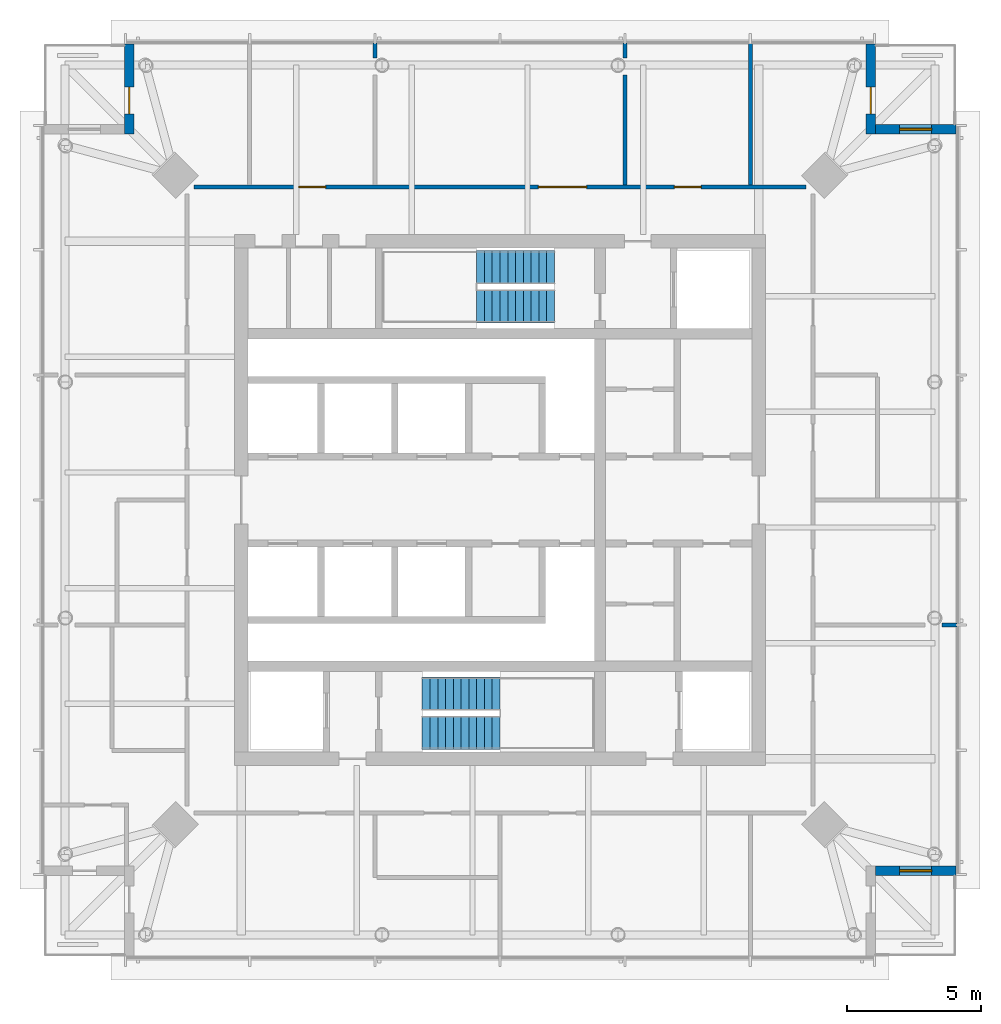
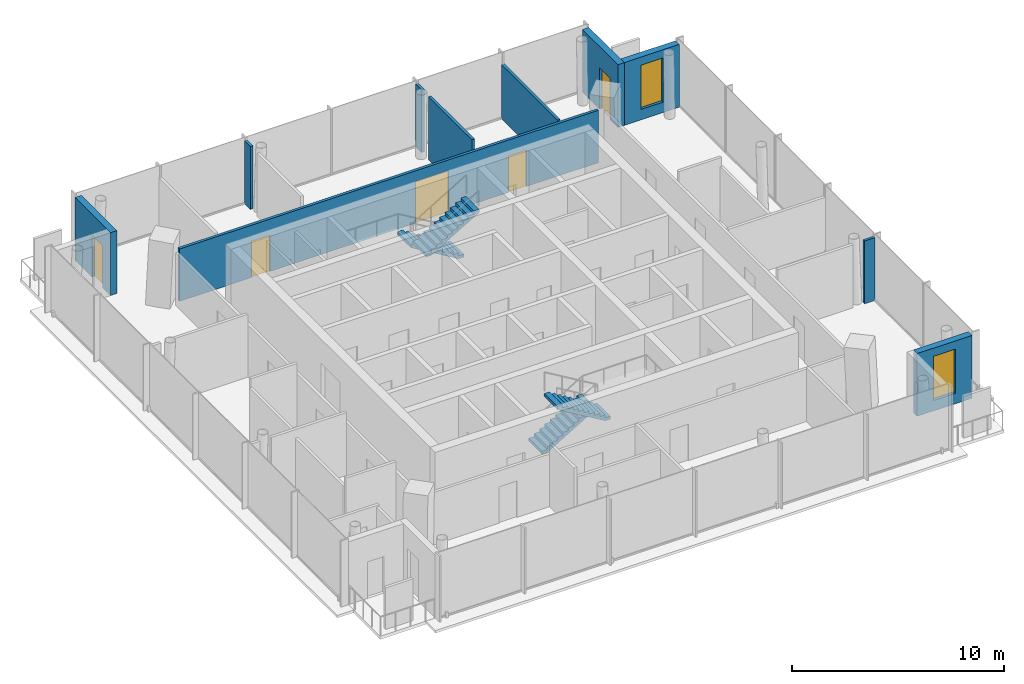
# One storey, part 6 of 9: 10 walls, 5 doors, 4 stair flights, 2 windows, 7 openings, 2 elements without a shape of their own.
"""IFC4 building model written with IfcOpenShell, lengths in metres."""

from ifc_helpers import new_model, si_unit, direction, frame, frame_2d, origin, place, context, subcontext, project, spatial, polyline, rectangle, outline, extrude, material, layer, layer_set, type_object, element, fill, aggregate, save


model = new_model("IFC4")

# Units and contexts
model_context = context("Model", 3, precision=1e-05, world=origin(), true_north=direction((0.0, 1.0)))
body_context = subcontext(model_context, "Body", "Model", "MODEL_VIEW")
ifc_project = project(units=[si_unit("LENGTHUNIT", "METRE"), si_unit("AREAUNIT", "SQUARE_METRE"), si_unit("VOLUMEUNIT", "CUBIC_METRE"), si_unit("PLANEANGLEUNIT", "RADIAN"), si_unit("MASSUNIT", "GRAM", prefix="KILO")], contexts=[model_context])

# Site, building, storey
site_placement = place(None, origin())
site = spatial("IfcSite", under=ifc_project, at=site_placement, CompositionType="ELEMENT")
building_placement = place(site_placement, origin())
building = spatial("IfcBuilding", under=site, at=building_placement, Name="Ostroluk Exchange", CompositionType="ELEMENT")
storey_placement = place(building_placement, frame((0.0, 0.0, 264.199951171875)))
storey = spatial("IfcBuildingStorey", under=building, at=storey_placement, Name="L68", CompositionType="ELEMENT", Elevation=264.199951171875)

# Wall, opening, window
ifc_material_1 = material(Name="Limestone", Category="masonry")
ifc_layer_1 = layer(ifc_material_1, 0.35009765625)
ifc_layer_set_1 = layer_set([ifc_layer_1], Name="Limestone facade wall 350")
wall_type_1 = type_object("IfcWallType", Name="Limestone facade wall 350", PredefinedType="SOLIDWALL", material=ifc_layer_set_1)
wall_1_placement = place(storey_placement, frame((59.0, 32.175048828125, 0.0), z_axis=(0.0, 0.0, 1.0), x_axis=(1.0, 0.0, 0.0)))
wall_1 = element("IfcWall", 1, at=wall_1_placement, inside=storey, type_object=wall_type_1, Name="Office tower SE corner wall L68 b", PredefinedType="SOLIDWALL", context=body_context, shape_type="SweptSolid", body=[
    extrude(rectangle(XDim=3.0, YDim=0.35009765625, at=frame_2d((1.5, 0.0))), origin(), (0.0, 0.0, 1.0), 3.6201171875),
])
opening_1_placement = place(wall_1_placement, frame((0.89990234375, 0.0, 0.60009765625)))
opening_1 = element("IfcOpeningElement", 2, at=opening_1_placement, cuts=wall_1, Name="Opening WN-L1", PredefinedType="OPENING", context=body_context, shape_type="SweptSolid", body=[
    extrude(rectangle(XDim=1.199951171875, YDim=2.550048828125, at=frame_2d((0.60009765625, 1.27490234375))), frame((0.0, 0.18505859375, 0.0), z_axis=(0.0, -1.0, 0.0), x_axis=(1.0, 0.0, 0.0)), (0.0, 0.0, 1.0), 0.3701171875),
])
ifc_material_2 = material(Name="Laminated clear glass", Category="glass")
window_type = type_object("IfcWindowType", Name="Lancet window 1200 x 2550", PartitioningType="SINGLE_PANEL", PredefinedType="WINDOW", material=ifc_material_2)
window_1_placement = place(opening_1_placement, origin())
window_1 = element("IfcWindow", 3, at=window_1_placement, inside=storey, type_object=window_type, Name="Office tower SE lancet window L68", OverallHeight=2.550048828125, OverallWidth=1.199951171875, PartitioningType="SINGLE_PANEL", PredefinedType="WINDOW", context=body_context, shape_type="SweptSolid", body=[
    extrude(rectangle(XDim=1.199951171875, YDim=2.550048828125, at=frame_2d((0.60009765625, 1.27490234375))), frame((0.0, 0.030029296875, 0.0), z_axis=(0.0, -1.0, 0.0), x_axis=(1.0, 0.0, 0.0)), (0.0, 0.0, 1.0), 0.06005859375),
])
fill(opening_1, window_1)

# Wall, opening, door
wall_2_placement = place(storey_placement, frame((58.824951171875, 63.0, 0.0), z_axis=(0.0, 0.0, 1.0), x_axis=(0.0, -1.0, 0.0)))
wall_2 = element("IfcWall", 4, at=wall_2_placement, inside=storey, type_object=wall_type_1, Name="Office tower NE corner wall L68 a", PredefinedType="SOLIDWALL", context=body_context, shape_type="SweptSolid", body=[
    extrude(rectangle(XDim=3.35009765625, YDim=0.35009765625, at=frame_2d((1.675048828125, 0.0))), origin(), (0.0, 0.0, 1.0), 3.6201171875),
])
opening_2_placement = place(wall_2_placement, frame((1.60009765625, 0.0, 0.0)))
opening_2 = element("IfcOpeningElement", 5, at=opening_2_placement, cuts=wall_2, Name="Opening D-B1", PredefinedType="OPENING", context=body_context, shape_type="SweptSolid", body=[
    extrude(rectangle(XDim=1.0, YDim=2.39990234375, at=frame_2d((0.5, 1.199951171875))), frame((0.0, 0.18505859375, 0.0), z_axis=(0.0, -1.0, 0.0), x_axis=(1.0, 0.0, 0.0)), (0.0, 0.0, 1.0), 0.3701171875),
])
ifc_material_3 = material(Name="Bronze framed glazed door", Category="aluminium")
door_type_1 = type_object("IfcDoorType", Name="Balcony door 1000 x 2400", OperationType="SINGLE_SWING_LEFT", PredefinedType="DOOR", material=ifc_material_3)
door_1_placement = place(opening_2_placement, origin())
door_1 = element("IfcDoor", 6, at=door_1_placement, inside=storey, type_object=door_type_1, Name="Office tower NE balcony door L68", OperationType="SINGLE_SWING_RIGHT", OverallHeight=2.39990234375, OverallWidth=1.0, PredefinedType="DOOR", context=body_context, shape_type="SweptSolid", body=[
    extrude(rectangle(XDim=1.0, YDim=2.39990234375, at=frame_2d((0.5, 1.199951171875))), frame((0.0, 0.02490234375, 0.0), z_axis=(0.0, -1.0, 0.0), x_axis=(1.0, 0.0, 0.0)), (0.0, 0.0, 1.0), 0.050048828125),
])
fill(opening_2, door_1)

# Wall, opening, window
wall_3_placement = place(storey_placement, frame((59.0, 59.824951171875, 0.0), z_axis=(0.0, 0.0, 1.0), x_axis=(1.0, 0.0, 0.0)))
wall_3 = element("IfcWall", 7, at=wall_3_placement, inside=storey, type_object=wall_type_1, Name="Office tower NE corner wall L68 b", PredefinedType="SOLIDWALL", context=body_context, shape_type="SweptSolid", body=[
    extrude(rectangle(XDim=3.0, YDim=0.35009765625, at=frame_2d((1.5, 0.0))), origin(), (0.0, 0.0, 1.0), 3.6201171875),
])
opening_3_placement = place(wall_3_placement, frame((0.89990234375, 0.0, 0.60009765625)))
opening_3 = element("IfcOpeningElement", 8, at=opening_3_placement, cuts=wall_3, Name="Opening WN-L1", PredefinedType="OPENING", context=body_context, shape_type="SweptSolid", body=[
    extrude(rectangle(XDim=1.199951171875, YDim=2.550048828125, at=frame_2d((0.60009765625, 1.27490234375))), frame((0.0, 0.18505859375, 0.0), z_axis=(0.0, -1.0, 0.0), x_axis=(1.0, 0.0, 0.0)), (0.0, 0.0, 1.0), 0.3701171875),
])
window_2_placement = place(opening_3_placement, origin())
window_2 = element("IfcWindow", 9, at=window_2_placement, inside=storey, type_object=window_type, Name="Office tower NE lancet window L68", OverallHeight=2.550048828125, OverallWidth=1.199951171875, PartitioningType="SINGLE_PANEL", PredefinedType="WINDOW", context=body_context, shape_type="SweptSolid", body=[
    extrude(rectangle(XDim=1.199951171875, YDim=2.550048828125, at=frame_2d((0.60009765625, 1.27490234375))), frame((0.0, 0.030029296875, 0.0), z_axis=(0.0, -1.0, 0.0), x_axis=(1.0, 0.0, 0.0)), (0.0, 0.0, 1.0), 0.06005859375),
])
fill(opening_3, window_2)

# Wall, opening, door
wall_4_placement = place(storey_placement, frame((31.175048828125, 63.0, 0.0), z_axis=(0.0, 0.0, 1.0), x_axis=(0.0, -1.0, 0.0)))
wall_4 = element("IfcWall", 10, at=wall_4_placement, inside=storey, type_object=wall_type_1, Name="Office tower NW corner wall L68 a", PredefinedType="SOLIDWALL", context=body_context, shape_type="SweptSolid", body=[
    extrude(rectangle(XDim=3.35009765625, YDim=0.35009765625, at=frame_2d((1.675048828125, 0.0))), origin(), (0.0, 0.0, 1.0), 3.6201171875),
])
opening_4_placement = place(wall_4_placement, frame((1.60009765625, 0.0, 0.0)))
opening_4 = element("IfcOpeningElement", 11, at=opening_4_placement, cuts=wall_4, Name="Opening D-B1", PredefinedType="OPENING", context=body_context, shape_type="SweptSolid", body=[
    extrude(rectangle(XDim=1.0, YDim=2.39990234375, at=frame_2d((0.5, 1.199951171875))), frame((0.0, 0.18505859375, 0.0), z_axis=(0.0, -1.0, 0.0), x_axis=(1.0, 0.0, 0.0)), (0.0, 0.0, 1.0), 0.3701171875),
])
door_2_placement = place(opening_4_placement, origin())
door_2 = element("IfcDoor", 12, at=door_2_placement, inside=storey, type_object=door_type_1, Name="Office tower NW balcony door L68", OperationType="SINGLE_SWING_RIGHT", OverallHeight=2.39990234375, OverallWidth=1.0, PredefinedType="DOOR", context=body_context, shape_type="SweptSolid", body=[
    extrude(rectangle(XDim=1.0, YDim=2.39990234375, at=frame_2d((0.5, 1.199951171875))), frame((0.0, 0.02490234375, 0.0), z_axis=(0.0, -1.0, 0.0), x_axis=(1.0, 0.0, 0.0)), (0.0, 0.0, 1.0), 0.050048828125),
])
fill(opening_4, door_2)

# Wall
ifc_material_4 = material(Name="Gypsum plasterboard partition", Category="gypsum")
ifc_layer_2 = layer(ifc_material_4, 0.14990234375)
ifc_layer_set_2 = layer_set([ifc_layer_2], Name="Plasterboard partition 150")
wall_type_2 = type_object("IfcWallType", Name="Plasterboard partition 150", PredefinedType="PARTITIONING", material=ifc_layer_set_2)
wall_5_placement = place(storey_placement, frame((61.482666015625, 41.333251953125, 0.0), z_axis=(0.0, 0.0, 1.0), x_axis=(1.0, 0.0, 0.0)))
element("IfcWall", 13, at=wall_5_placement, inside=storey, type_object=wall_type_2, Name="Partition", PredefinedType="PARTITIONING", context=body_context, shape_type="SweptSolid", body=[
    extrude(rectangle(XDim=0.557373046875, YDim=0.14990234375, at=frame_2d((0.27880859375, 0.0))), origin(), (0.0, 0.0, 1.0), 3.6201171875),
])

# Wall, openings, doors
wall_6_placement = place(storey_placement, frame((56.415771484375, 57.675048828125, 0.0), z_axis=(0.0, 0.0, 1.0), x_axis=(-1.0, 0.0, 0.0)))
wall_6 = element("IfcWall", 14, at=wall_6_placement, inside=storey, type_object=wall_type_2, Name="Partition", PredefinedType="PARTITIONING", context=body_context, shape_type="SweptSolid", body=[
    extrude(rectangle(XDim=22.83154296875, YDim=0.14990234375, at=frame_2d((11.415771484375, 0.0))), origin(), (0.0, 0.0, 1.0), 3.02001953125),
])
opening_5_placement = place(wall_6_placement, frame((3.915771484375, 0.0, 0.0)))
opening_5 = element("IfcOpeningElement", 15, at=opening_5_placement, cuts=wall_6, Name="Opening D-03", PredefinedType="OPENING", context=body_context, shape_type="SweptSolid", body=[
    extrude(rectangle(XDim=1.0, YDim=2.10009765625, at=frame_2d((0.5, 1.050048828125))), frame((0.0, 0.0849609375, 0.0), z_axis=(0.0, -1.0, 0.0), x_axis=(1.0, 0.0, 0.0)), (0.0, 0.0, 1.0), 0.169921875),
])
opening_6_placement = place(wall_6_placement, frame((8.182373046875, 0.0, 0.0)))
opening_6 = element("IfcOpeningElement", 16, at=opening_6_placement, cuts=wall_6, Name="Opening D-04", PredefinedType="OPENING", context=body_context, shape_type="SweptSolid", body=[
    extrude(rectangle(XDim=1.800048828125, YDim=2.39990234375, at=frame_2d((0.89990234375, 1.199951171875))), frame((0.0, 0.0849609375, 0.0), z_axis=(0.0, -1.0, 0.0), x_axis=(1.0, 0.0, 0.0)), (0.0, 0.0, 1.0), 0.169921875),
])
opening_7_placement = place(wall_6_placement, frame((17.915771484375, 0.0, 0.0)))
opening_7 = element("IfcOpeningElement", 17, at=opening_7_placement, cuts=wall_6, Name="Opening D-03", PredefinedType="OPENING", context=body_context, shape_type="SweptSolid", body=[
    extrude(rectangle(XDim=1.0, YDim=2.10009765625, at=frame_2d((0.5, 1.050048828125))), frame((0.0, 0.0849609375, 0.0), z_axis=(0.0, -1.0, 0.0), x_axis=(1.0, 0.0, 0.0)), (0.0, 0.0, 1.0), 0.169921875),
])
ifc_material_5 = material(Name="Timber", Category="wood")
door_type_2 = type_object("IfcDoorType", Name="Double door 1800 x 2400", OperationType="DOUBLE_DOOR_SINGLE_SWING", PredefinedType="DOOR", material=ifc_material_5)
door_3_placement = place(opening_6_placement, origin())
door_3 = element("IfcDoor", 18, at=door_3_placement, inside=storey, type_object=door_type_2, Name="Boardroom door", OperationType="DOUBLE_DOOR_SINGLE_SWING", OverallHeight=2.39990234375, OverallWidth=1.800048828125, PredefinedType="DOOR", context=body_context, shape_type="SweptSolid", body=[
    extrude(rectangle(XDim=1.800048828125, YDim=2.39990234375, at=frame_2d((0.89990234375, 1.199951171875))), frame((0.0, 0.02490234375, 0.0), z_axis=(0.0, -1.0, 0.0), x_axis=(1.0, 0.0, 0.0)), (0.0, 0.0, 1.0), 0.050048828125),
])
fill(opening_6, door_3)
ifc_material_6 = material(Name="Timber", Category="wood")
door_type_3 = type_object("IfcDoorType", Name="Internal door 1000 x 2100", OperationType="SINGLE_SWING_LEFT", PredefinedType="DOOR", material=ifc_material_6)
door_4_placement = place(opening_5_placement, origin())
door_4 = element("IfcDoor", 19, at=door_4_placement, inside=storey, type_object=door_type_3, Name="Office door", OperationType="SINGLE_SWING_LEFT", OverallHeight=2.10009765625, OverallWidth=1.0, PredefinedType="DOOR", context=body_context, shape_type="SweptSolid", body=[
    extrude(rectangle(XDim=1.0, YDim=2.10009765625, at=frame_2d((0.5, 1.050048828125))), frame((0.0, 0.02490234375, 0.0), z_axis=(0.0, -1.0, 0.0), x_axis=(1.0, 0.0, 0.0)), (0.0, 0.0, 1.0), 0.050048828125),
])
fill(opening_5, door_4)
door_5_placement = place(opening_7_placement, origin())
door_5 = element("IfcDoor", 20, at=door_5_placement, inside=storey, type_object=door_type_3, Name="Office door", OperationType="SINGLE_SWING_RIGHT", OverallHeight=2.10009765625, OverallWidth=1.0, PredefinedType="DOOR", context=body_context, shape_type="SweptSolid", body=[
    extrude(rectangle(XDim=1.0, YDim=2.10009765625, at=frame_2d((0.5, 1.050048828125))), frame((0.0, 0.02490234375, 0.0), z_axis=(0.0, -1.0, 0.0), x_axis=(1.0, 0.0, 0.0)), (0.0, 0.0, 1.0), 0.050048828125),
])
fill(opening_7, door_5)

# Walls
wall_7_placement = place(storey_placement, frame((54.333251953125, 57.75, 0.0), z_axis=(0.0, 0.0, 1.0), x_axis=(0.0, 1.0, 0.0)))
element("IfcWall", 21, at=wall_7_placement, inside=storey, type_object=wall_type_2, Name="Partition", PredefinedType="PARTITIONING", context=body_context, shape_type="SweptSolid", body=[
    extrude(rectangle(XDim=5.2900390625, YDim=0.14990234375, at=frame_2d((2.64501953125, 0.0))), origin(), (0.0, 0.0, 1.0), 3.1201171875),
])
wall_8_placement = place(storey_placement, frame((49.666748046875, 57.75, 0.0), z_axis=(0.0, 0.0, 1.0), x_axis=(0.0, 1.0, 0.0)))
element("IfcWall", 22, at=wall_8_placement, inside=storey, type_object=wall_type_2, Name="Partition", PredefinedType="PARTITIONING", context=body_context, shape_type="SweptSolid", body=[
    extrude(rectangle(XDim=4.10302734375, YDim=0.14990234375, at=frame_2d((2.051513671875, 0.0))), origin(), (0.0, 0.0, 1.0), 3.6201171875),
])
for number, where, z_axis, x_axis, name in (
    (23, (49.666748046875, 62.482666015625, 0.0), (0.0, 0.0, 1.0), (0.0, 1.0, 0.0), "Partition"),
    (24, (40.333251953125, 62.482666015625, 0.0), (0.0, 0.0, 1.0), (0.0, 1.0, 0.0), "Partition"),
):
    element("IfcWall", number, at=place(storey_placement, frame(where, z_axis=z_axis, x_axis=x_axis)), inside=storey, type_object=wall_type_2, Name=name, PredefinedType="PARTITIONING", context=body_context, shape_type="SweptSolid", body=[
        extrude(rectangle(XDim=0.557373046875, YDim=0.14990234375, at=frame_2d((0.27880859375, 0.0))), origin(), (0.0, 0.0, 1.0), 3.6201171875),
    ])

# Stair, stair flights
ifc_material_7 = material(Name="Concrete C30/37", Category="concrete")
stair_type = type_object("IfcStairType", Name="Exit stair half turn 3800", PredefinedType="HALF_TURN_STAIR", material=ifc_material_7)
stair_1_placement = place(storey_placement, origin())
stair_1 = element("IfcStair", 25, at=stair_1_placement, inside=storey, type_object=stair_type, Name="Stair T1-S1 L68", PredefinedType="HALF_TURN_STAIR")
ifc_material_8 = material(Name="Concrete C30/37", Category="concrete")
stair_flight_type = type_object("IfcStairFlightType", Name="Stair flight 11 risers 172.7 x 290", PredefinedType="STRAIGHT", material=ifc_material_8)
stair_flight_1_placement = place(storey_placement, frame((42.10009765625, 38.77490234375, 0.0), z_axis=(0.0, 0.0, 1.0), x_axis=(1.0, 0.0, 0.0)))
stair_flight_1 = element("IfcStairFlight", 26, at=stair_flight_1_placement, type_object=stair_flight_type, Name="T1-S1 flight 1", NumberOfRisers=11, NumberOfTreads=10, PredefinedType="STRAIGHT", RiserHeight=0.172727273, TreadLength=0.29, context=body_context, shape_type="SweptSolid", body=[
    extrude(outline(polyline([(0.0, 0.0), (0.0, 0.172607421875), (0.2900390625, 0.172607421875), (0.2900390625, 0.345458984375), (0.580078125, 0.345458984375), (0.580078125, 0.51806640625), (0.8701171875, 0.51806640625), (0.8701171875, 0.69091796875), (1.159912109375, 0.69091796875), (1.159912109375, 0.863525390625), (1.449951171875, 0.863525390625), (1.449951171875, 1.036376953125), (1.739990234375, 1.036376953125), (1.739990234375, 1.208984375), (2.030029296875, 1.208984375), (2.030029296875, 1.3818359375), (2.320068359375, 1.3818359375), (2.320068359375, 1.554443359375), (2.610107421875, 1.554443359375), (2.610107421875, 1.727294921875), (2.89990234375, 1.727294921875), (2.89990234375, 1.89990234375), (2.89990234375, 1.552734375), (0.29296875, 0.0), (0.0, 0.0)])), frame((0.0, 0.625, 0.0), z_axis=(0.0, -1.0, 0.0), x_axis=(1.0, 0.0, 0.0)), (0.0, 0.0, 1.0), 1.25),
])
stair_flight_2_placement = place(storey_placement, frame((45.0, 37.324951171875, 1.900146484375), z_axis=(0.0, 0.0, 1.0), x_axis=(-1.0, 0.0, 0.0)))
stair_flight_2 = element("IfcStairFlight", 27, at=stair_flight_2_placement, type_object=stair_flight_type, Name="T1-S1 flight 2", NumberOfRisers=11, NumberOfTreads=10, PredefinedType="STRAIGHT", RiserHeight=0.172727273, TreadLength=0.29, context=body_context, shape_type="SweptSolid", body=[
    extrude(outline(polyline([(0.0, 0.0), (0.0, 0.172607421875), (0.2900390625, 0.172607421875), (0.2900390625, 0.345458984375), (0.580078125, 0.345458984375), (0.580078125, 0.51806640625), (0.8701171875, 0.51806640625), (0.8701171875, 0.69091796875), (1.159912109375, 0.69091796875), (1.159912109375, 0.863525390625), (1.449951171875, 0.863525390625), (1.449951171875, 1.036376953125), (1.739990234375, 1.036376953125), (1.739990234375, 1.208984375), (2.030029296875, 1.208984375), (2.030029296875, 1.3818359375), (2.320068359375, 1.3818359375), (2.320068359375, 1.554443359375), (2.610107421875, 1.554443359375), (2.610107421875, 1.727294921875), (2.89990234375, 1.727294921875), (2.89990234375, 1.89990234375), (2.89990234375, 1.552734375), (0.29296875, 0.0), (0.0, 0.0)])), frame((0.0, 0.625, 0.0), z_axis=(0.0, -1.0, 0.0), x_axis=(1.0, 0.0, 0.0)), (0.0, 0.0, 1.0), 1.25),
])
aggregate(stair_1, [stair_flight_1, stair_flight_2])

stair_2_placement = place(storey_placement, origin())
stair_2 = element("IfcStair", 28, at=stair_2_placement, inside=storey, type_object=stair_type, Name="Stair T1-S2 L68", PredefinedType="HALF_TURN_STAIR")
stair_flight_3_placement = place(storey_placement, frame((47.030029296875, 54.675048828125, 0.0), z_axis=(0.0, 0.0, 1.0), x_axis=(-1.0, 0.0, 0.0)))
stair_flight_3 = element("IfcStairFlight", 29, at=stair_flight_3_placement, type_object=stair_flight_type, Name="T1-S2 flight 1", NumberOfRisers=11, NumberOfTreads=10, PredefinedType="STRAIGHT", RiserHeight=0.172727273, TreadLength=0.29, context=body_context, shape_type="SweptSolid", body=[
    extrude(outline(polyline([(0.0, 0.0), (0.0, 0.172607421875), (0.2900390625, 0.172607421875), (0.2900390625, 0.345458984375), (0.580078125, 0.345458984375), (0.580078125, 0.51806640625), (0.8701171875, 0.51806640625), (0.8701171875, 0.69091796875), (1.159912109375, 0.69091796875), (1.159912109375, 0.863525390625), (1.449951171875, 0.863525390625), (1.449951171875, 1.036376953125), (1.739990234375, 1.036376953125), (1.739990234375, 1.208984375), (2.030029296875, 1.208984375), (2.030029296875, 1.3818359375), (2.320068359375, 1.3818359375), (2.320068359375, 1.554443359375), (2.610107421875, 1.554443359375), (2.610107421875, 1.727294921875), (2.89990234375, 1.727294921875), (2.89990234375, 1.89990234375), (2.89990234375, 1.552734375), (0.29296875, 0.0), (0.0, 0.0)])), frame((0.0, 0.625, 0.0), z_axis=(0.0, -1.0, 0.0), x_axis=(1.0, 0.0, 0.0)), (0.0, 0.0, 1.0), 1.25),
])
stair_flight_4_placement = place(storey_placement, frame((44.1298828125, 53.22509765625, 1.900146484375), z_axis=(0.0, 0.0, 1.0), x_axis=(1.0, 0.0, 0.0)))
stair_flight_4 = element("IfcStairFlight", 30, at=stair_flight_4_placement, type_object=stair_flight_type, Name="T1-S2 flight 2", NumberOfRisers=11, NumberOfTreads=10, PredefinedType="STRAIGHT", RiserHeight=0.172727273, TreadLength=0.29, context=body_context, shape_type="SweptSolid", body=[
    extrude(outline(polyline([(0.0, 0.0), (0.0, 0.172607421875), (0.2900390625, 0.172607421875), (0.2900390625, 0.345458984375), (0.580078125, 0.345458984375), (0.580078125, 0.51806640625), (0.8701171875, 0.51806640625), (0.8701171875, 0.69091796875), (1.159912109375, 0.69091796875), (1.159912109375, 0.863525390625), (1.449951171875, 0.863525390625), (1.449951171875, 1.036376953125), (1.739990234375, 1.036376953125), (1.739990234375, 1.208984375), (2.030029296875, 1.208984375), (2.030029296875, 1.3818359375), (2.320068359375, 1.3818359375), (2.320068359375, 1.554443359375), (2.610107421875, 1.554443359375), (2.610107421875, 1.727294921875), (2.89990234375, 1.727294921875), (2.89990234375, 1.89990234375), (2.89990234375, 1.552734375), (0.29296875, 0.0), (0.0, 0.0)])), frame((0.0, 0.625, 0.0), z_axis=(0.0, -1.0, 0.0), x_axis=(1.0, 0.0, 0.0)), (0.0, 0.0, 1.0), 1.25),
])
aggregate(stair_2, [stair_flight_3, stair_flight_4])

save(model, "model.ifc")
